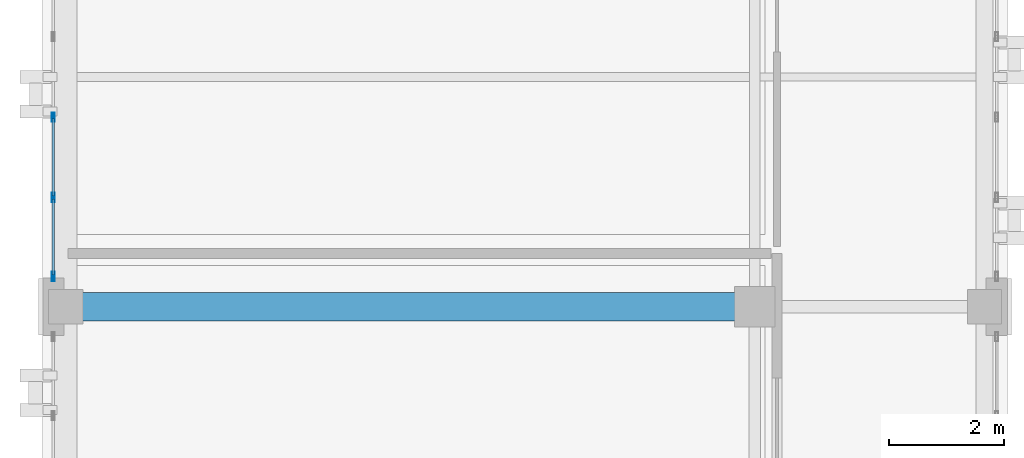
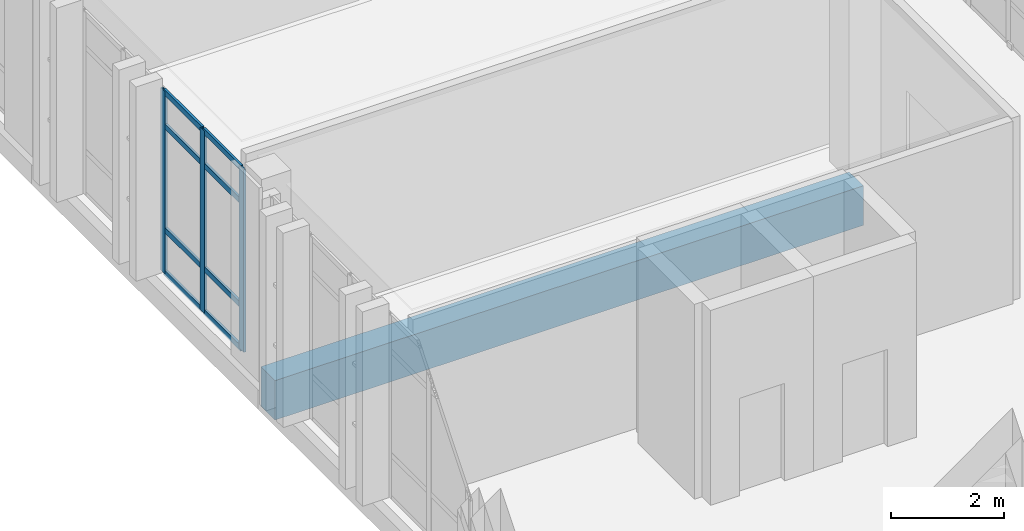
# One storey, part 9 of 77: 11 members, 1 beam, 1 element without a shape of its own.
"""IFC4 building model written with IfcOpenShell, lengths in metres."""

from ifc_helpers import new_model, si_unit, direction, frame, origin, origin_2d, place, context, subcontext, project, spatial, rectangle, hollow_rectangle, extrude, material, layer, layer_set, material_profile, profile_set, type_object, element, aggregate, save


model = new_model("IFC4")

# Units and contexts
model_context = context("Model", 3, precision=1e-05, world=origin(), true_north=direction((0.0, 1.0)))
body_context = subcontext(model_context, "Body", "Model", "MODEL_VIEW")
ifc_project = project(units=[si_unit("LENGTHUNIT", "METRE"), si_unit("AREAUNIT", "SQUARE_METRE"), si_unit("VOLUMEUNIT", "CUBIC_METRE"), si_unit("PLANEANGLEUNIT", "RADIAN"), si_unit("MASSUNIT", "GRAM", prefix="KILO")], contexts=[model_context])

# Site, building, storey
site_placement = place(None, origin())
site = spatial("IfcSite", under=ifc_project, at=site_placement, CompositionType="ELEMENT")
building_placement = place(site_placement, origin())
building = spatial("IfcBuilding", under=site, at=building_placement, Name="Qalavern Law Courts", CompositionType="ELEMENT")
storey_placement = place(building_placement, frame((0.0, 0.0, 27.0)))
storey = spatial("IfcBuildingStorey", under=building, at=storey_placement, Name="L06", CompositionType="ELEMENT", Elevation=27.0)

# Curtain wall, members
ifc_material_1 = material(Name="Anodised aluminium and insulated glazing", Category="aluminium")
ifc_layer = layer(ifc_material_1, 0.159912109375)
ifc_layer_set = layer_set([ifc_layer], Name="Anodised aluminium and insulated glazing")
curtain_wall_type = type_object("IfcCurtainWallType", Name="ENV-CW-CHAMB", PredefinedType="USERDEFINED", material=ifc_layer_set)
curtain_wall_placement = place(storey_placement, origin())
curtain_wall = element("IfcCurtainWall", 1, at=curtain_wall_placement, inside=storey, type_object=curtain_wall_type, Name="V3 unitised curtain wall L06 west 3", ObjectType="UNITISED CURTAIN WALL", PredefinedType="USERDEFINED")
ifc_material_2 = material(Name="Anodised aluminium", Category="aluminium")
ifc_material_profile_1 = material_profile(ifc_material_2, hollow_rectangle(XDim=0.048095703125, YDim=0.159912109375, WallThickness=0.00390625, at=origin_2d()), Name="ALU MULLION 48x160")
ifc_profile_set_1 = profile_set([ifc_material_profile_1], Name="Anodised aluminium")
member_type_1 = type_object("IfcMemberType", Name="ENV-CWM-48x160", PredefinedType="MULLION", material=ifc_profile_set_1)
member_1_placement = place(storey_placement, frame((2.18505859375, 60.699951171875, 0.0), z_axis=(0.0, 0.0, 1.0), x_axis=(1.0, 0.0, 0.0)))
member_1 = element("IfcMember", 2, at=member_1_placement, type_object=member_type_1, Name="CW-04 mullion 4", PredefinedType="MULLION", context=body_context, shape_type="SweptSolid", body=[
    extrude(hollow_rectangle(XDim=0.048095703125, YDim=0.159912109375, WallThickness=0.00390625, at=origin_2d()), origin(), (0.0, 0.0, 1.0), 3.93505859375),
])
member_2_placement = place(storey_placement, frame((2.18505859375, 59.300048828125, 0.0), z_axis=(0.0, 0.0, 1.0), x_axis=(1.0, 0.0, 0.0)))
member_2 = element("IfcMember", 3, at=member_2_placement, type_object=member_type_1, Name="CW-04 mullion 5", PredefinedType="MULLION", context=body_context, shape_type="SweptSolid", body=[
    extrude(hollow_rectangle(XDim=0.048095703125, YDim=0.159912109375, WallThickness=0.00390625, at=origin_2d()), origin(), (0.0, 0.0, 1.0), 3.93505859375),
])
member_3_placement = place(storey_placement, frame((2.18505859375, 57.924072265625, 0.0), z_axis=(0.0, 0.0, 1.0), x_axis=(1.0, 0.0, 0.0)))
member_3 = element("IfcMember", 4, at=member_3_placement, type_object=member_type_1, Name="CW-04 mullion 6", PredefinedType="MULLION", context=body_context, shape_type="SweptSolid", body=[
    extrude(hollow_rectangle(XDim=0.048095703125, YDim=0.159912109375, WallThickness=0.00390625, at=origin_2d()), origin(), (0.0, 0.0, 1.0), 3.93505859375),
])
ifc_material_profile_2 = material_profile(ifc_material_2, hollow_rectangle(XDim=0.048095703125, YDim=0.1201171875, WallThickness=0.00390625, at=origin_2d()), Name="ALU TRANSOM 48x120")
ifc_profile_set_2 = profile_set([ifc_material_profile_2], Name="Anodised aluminium")
member_type_2 = type_object("IfcMemberType", Name="ENV-CWT-48x120", PredefinedType="USERDEFINED", material=ifc_profile_set_2)
member_4_placement = place(storey_placement, frame((2.18505859375, 60.676025390625, 0.02392578125), z_axis=(0.0, -1.0, 0.0), x_axis=(1.0, 0.0, 0.0)))
member_4 = element("IfcMember", 5, at=member_4_placement, type_object=member_type_2, Name="CW-04 transom 4.1", ObjectType="TRANSOM", PredefinedType="USERDEFINED", context=body_context, shape_type="SweptSolid", body=[
    extrude(hollow_rectangle(XDim=0.048095703125, YDim=0.1201171875, WallThickness=0.00390625, at=origin_2d()), origin(), (0.0, 0.0, 1.0), 1.35205078125),
])
member_5_placement = place(storey_placement, frame((2.18505859375, 60.676025390625, 0.949951171875), z_axis=(0.0, -1.0, 0.0), x_axis=(1.0, 0.0, 0.0)))
member_5 = element("IfcMember", 6, at=member_5_placement, type_object=member_type_2, Name="CW-04 transom 4.2", ObjectType="TRANSOM", PredefinedType="USERDEFINED", context=body_context, shape_type="SweptSolid", body=[
    extrude(hollow_rectangle(XDim=0.048095703125, YDim=0.1201171875, WallThickness=0.00390625, at=origin_2d()), origin(), (0.0, 0.0, 1.0), 1.35205078125),
])
member_6_placement = place(storey_placement, frame((2.18505859375, 60.676025390625, 3.18505859375), z_axis=(0.0, -1.0, 0.0), x_axis=(1.0, 0.0, 0.0)))
member_6 = element("IfcMember", 7, at=member_6_placement, type_object=member_type_2, Name="CW-04 transom 4.3", ObjectType="TRANSOM", PredefinedType="USERDEFINED", context=body_context, shape_type="SweptSolid", body=[
    extrude(hollow_rectangle(XDim=0.048095703125, YDim=0.1201171875, WallThickness=0.00390625, at=origin_2d()), origin(), (0.0, 0.0, 1.0), 1.35205078125),
])
member_7_placement = place(storey_placement, frame((2.18505859375, 60.676025390625, 3.910888671875), z_axis=(0.0, -1.0, 0.0), x_axis=(1.0, 0.0, 0.0)))
member_7 = element("IfcMember", 8, at=member_7_placement, type_object=member_type_2, Name="CW-04 transom 4.4", ObjectType="TRANSOM", PredefinedType="USERDEFINED", context=body_context, shape_type="SweptSolid", body=[
    extrude(hollow_rectangle(XDim=0.048095703125, YDim=0.1201171875, WallThickness=0.00390625, at=origin_2d()), origin(), (0.0, 0.0, 1.0), 1.35205078125),
])
member_8_placement = place(storey_placement, frame((2.18505859375, 59.27587890625, 0.02392578125), z_axis=(0.0, -1.0, 0.0), x_axis=(1.0, 0.0, 0.0)))
member_8 = element("IfcMember", 9, at=member_8_placement, type_object=member_type_2, Name="CW-04 transom 5.1", ObjectType="TRANSOM", PredefinedType="USERDEFINED", context=body_context, shape_type="SweptSolid", body=[
    extrude(hollow_rectangle(XDim=0.048095703125, YDim=0.1201171875, WallThickness=0.00390625, at=origin_2d()), origin(), (0.0, 0.0, 1.0), 1.327880859375),
])
member_9_placement = place(storey_placement, frame((2.18505859375, 59.27587890625, 0.949951171875), z_axis=(0.0, -1.0, 0.0), x_axis=(1.0, 0.0, 0.0)))
member_9 = element("IfcMember", 10, at=member_9_placement, type_object=member_type_2, Name="CW-04 transom 5.2", ObjectType="TRANSOM", PredefinedType="USERDEFINED", context=body_context, shape_type="SweptSolid", body=[
    extrude(hollow_rectangle(XDim=0.048095703125, YDim=0.1201171875, WallThickness=0.00390625, at=origin_2d()), origin(), (0.0, 0.0, 1.0), 1.327880859375),
])
member_10_placement = place(storey_placement, frame((2.18505859375, 59.27587890625, 3.18505859375), z_axis=(0.0, -1.0, 0.0), x_axis=(1.0, 0.0, 0.0)))
member_10 = element("IfcMember", 11, at=member_10_placement, type_object=member_type_2, Name="CW-04 transom 5.3", ObjectType="TRANSOM", PredefinedType="USERDEFINED", context=body_context, shape_type="SweptSolid", body=[
    extrude(hollow_rectangle(XDim=0.048095703125, YDim=0.1201171875, WallThickness=0.00390625, at=origin_2d()), origin(), (0.0, 0.0, 1.0), 1.327880859375),
])
member_11_placement = place(storey_placement, frame((2.18505859375, 59.27587890625, 3.910888671875), z_axis=(0.0, -1.0, 0.0), x_axis=(1.0, 0.0, 0.0)))
member_11 = element("IfcMember", 12, at=member_11_placement, type_object=member_type_2, Name="CW-04 transom 5.4", ObjectType="TRANSOM", PredefinedType="USERDEFINED", context=body_context, shape_type="SweptSolid", body=[
    extrude(hollow_rectangle(XDim=0.048095703125, YDim=0.1201171875, WallThickness=0.00390625, at=origin_2d()), origin(), (0.0, 0.0, 1.0), 1.327880859375),
])
aggregate(curtain_wall, [member_1, member_2, member_3, member_4, member_5, member_6, member_7, member_8, member_9, member_10, member_11])

# Beam
ifc_material_3 = material(Name="Concrete C40/50", Category="concrete")
ifc_material_profile_3 = material_profile(ifc_material_3, rectangle(XDim=0.5, YDim=0.85009765625, at=origin_2d()), Name="RC 500x850")
ifc_profile_set_3 = profile_set([ifc_material_profile_3], Name="Concrete C40/50")
beam_type = type_object("IfcBeamType", Name="STR-BM-RC500x850", PredefinedType="BEAM", material=ifc_profile_set_3)
beam_placement = place(storey_placement, frame((2.39990234375, 57.39990234375, -0.695068359375), z_axis=(1.0, 0.0, 0.0), x_axis=(0.0, 1.0, 0.0)))
element("IfcBeam", 13, at=beam_placement, inside=storey, type_object=beam_type, Name="V3 X-beam 3-1 L06", PredefinedType="BEAM", context=body_context, shape_type="SweptSolid", body=[
    extrude(rectangle(XDim=0.5, YDim=0.85009765625, at=origin_2d()), origin(), (0.0, 0.0, 1.0), 12.0),
])

save(model, "model.ifc")
